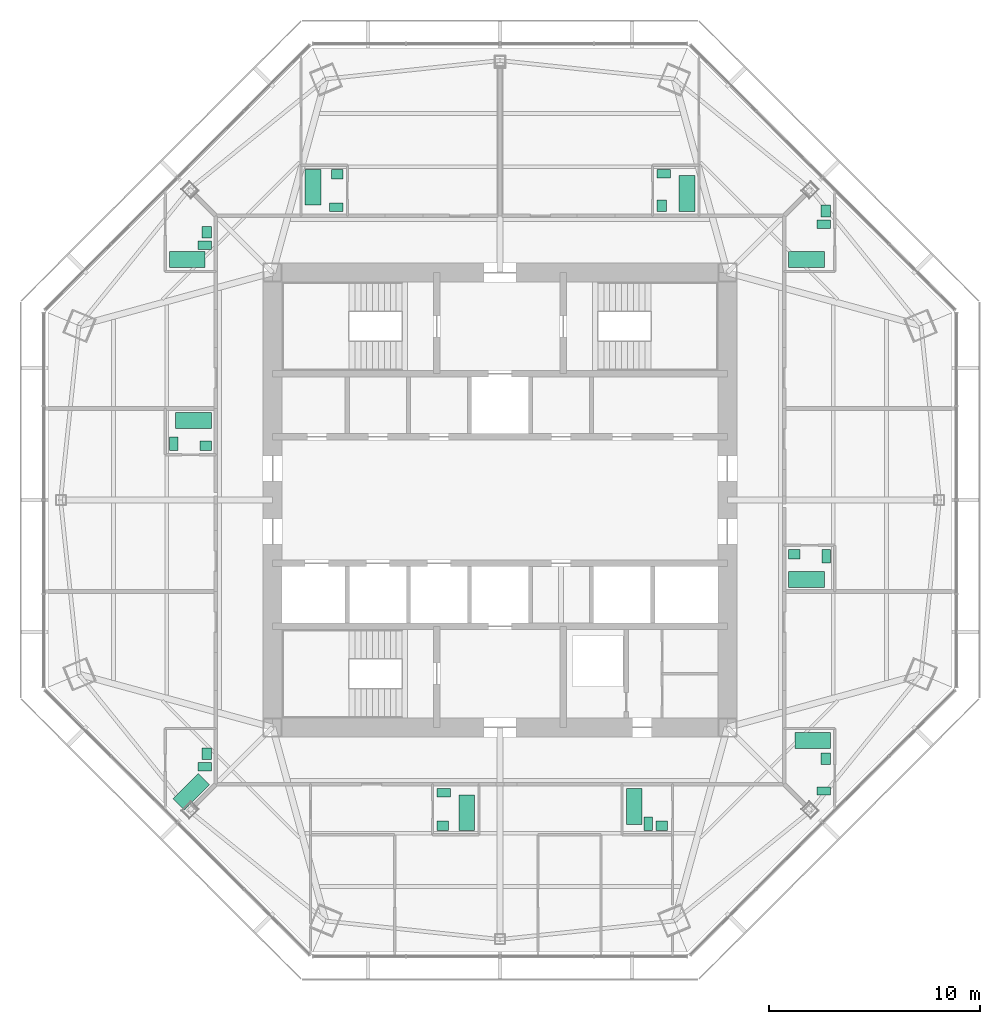
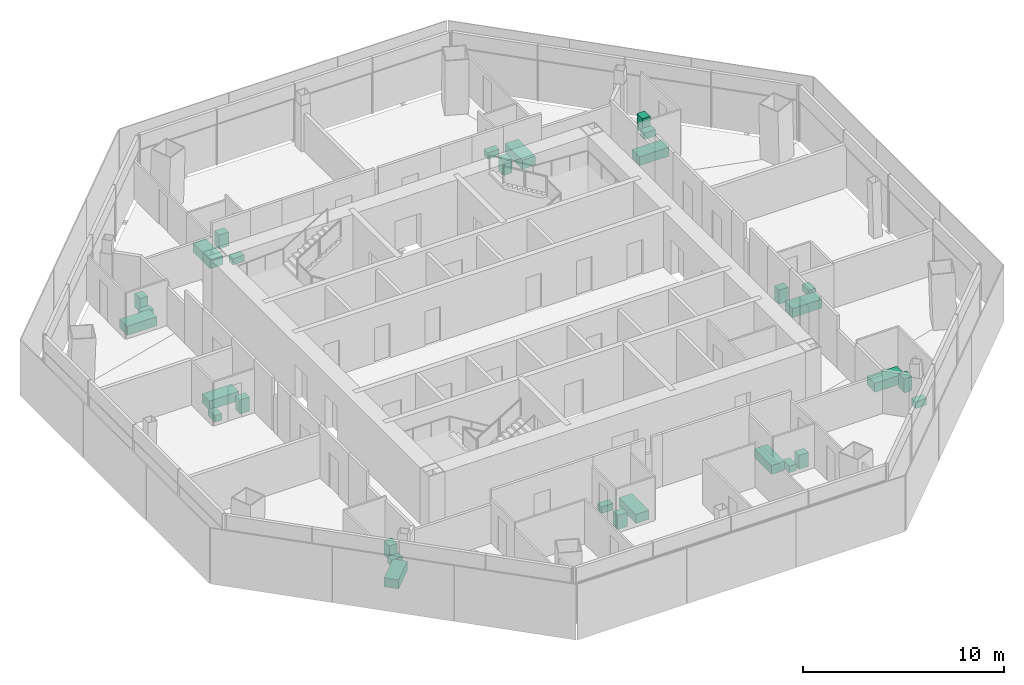
# One storey, part 15 of 15: 30 sanitary terminals.
"""IFC4 building model written with IfcOpenShell, lengths in metres."""

from ifc_helpers import new_model, si_unit, direction, frame, origin, origin_2d, place, context, subcontext, project, spatial, rectangle, extrude, material, type_object, element, save


model = new_model("IFC4")

# Units and contexts
model_context = context("Model", 3, precision=1e-05, world=origin(), true_north=direction((0.0, 1.0)))
body_context = subcontext(model_context, "Body", "Model", "MODEL_VIEW")
ifc_project = project(units=[si_unit("LENGTHUNIT", "METRE"), si_unit("AREAUNIT", "SQUARE_METRE"), si_unit("VOLUMEUNIT", "CUBIC_METRE"), si_unit("PLANEANGLEUNIT", "RADIAN"), si_unit("MASSUNIT", "GRAM", prefix="KILO")], contexts=[model_context])

# Site, building, storey
site_placement = place(None, origin())
site = spatial("IfcSite", under=ifc_project, at=site_placement, CompositionType="ELEMENT")
building_placement = place(site_placement, origin())
building = spatial("IfcBuilding", under=site, at=building_placement, Name="Mashrafa Tower", CompositionType="ELEMENT")
storey_placement = place(building_placement, frame((0.0, 0.0, 224.39990234375)))
storey = spatial("IfcBuildingStorey", under=building, at=storey_placement, Name="L52", CompositionType="ELEMENT", Elevation=224.39990234375)

# Sanitary terminals
ifc_material_1 = material(Name="Enamelled steel", Category="steel")
sanitary_terminal_type_1 = type_object("IfcSanitaryTerminalType", Name="Bath 1700 x 750", PredefinedType="BATH", material=ifc_material_1)
for number, where, z_axis, x_axis, name in (
    (1, (14.85009765625, -11.425048828125, 0.0), (0.0, 0.0, 1.0), (-1.0, 0.0, 0.0), "Bath Apartment 5201 Bathroom"),
    (2, (14.550048828125, -3.77490234375, 0.0), (0.0, 0.0, 1.0), (1.0, 0.0, 0.0), "Bath Apartment 5202 Bathroom"),
    (3, (14.550048828125, 11.425048828125, 0.0), (0.0, 0.0, 1.0), (1.0, 0.0, 0.0), "Bath Apartment 5203 Bathroom"),
    (4, (8.875, 14.550048828125, 0.0), (0.0, 0.0, 1.0), (0.0, 1.0, 0.0), "Bath Apartment 5204 Bathroom"),
    (5, (-8.875, 14.85009765625, 0.0), (0.0, 0.0, 1.0), (0.0, -1.0, 0.0), "Bath Apartment 5205 Bathroom"),
    (6, (-14.85009765625, 11.425048828125, 0.0), (0.0, 0.0, 1.0), (1.0, 0.0, 0.0), "Bath Apartment 5206 Bathroom"),
    (7, (-14.550048828125, 3.77490234375, 0.0), (0.0, 0.0, 1.0), (-1.0, 0.0, 0.0), "Bath Apartment 5207 Bathroom"),
    (8, (-14.66650390625, -13.853515625, 0.0), (0.0, 0.0, 1.0), (0.707106781187, 0.707106781187, 0.0), "Bath Apartment 5208 Bathroom"),
    (9, (-1.574951171875, -14.85009765625, 0.0), (0.0, 0.0, 1.0), (0.0, 1.0, 0.0), "Bath Apartment 5209 Bathroom"),
    (10, (6.375, -14.550048828125, 0.0), (0.0, 0.0, 1.0), (0.0, -1.0, 0.0), "Bath Apartment 5209 En-suite Bathroom"),
):
    element("IfcSanitaryTerminal", number, at=place(storey_placement, frame(where, z_axis=z_axis, x_axis=x_axis)), inside=storey, type_object=sanitary_terminal_type_1, Name=name, PredefinedType="BATH", context=body_context, shape_type="SweptSolid", body=[
        extrude(rectangle(XDim=1.699951171875, YDim=0.75, at=origin_2d()), origin(), (0.0, 0.0, 1.0), 0.550048828125),
    ])
ifc_material_2 = material(Name="Vitreous china")
sanitary_terminal_type_2 = type_object("IfcSanitaryTerminalType", Name="Toilet pan 400 x 650", PredefinedType="TOILETPAN", material=ifc_material_2)
for number, where, z_axis, x_axis, name in (
    (11, (15.375, -13.822265625, 0.000244140625), (0.0, 0.0, 1.0), (0.0, 1.0, 0.0), "Toilet pan Apartment 5201 Bathroom"),
    (12, (15.5, -2.675048828125, 0.000244140625), (0.0, 0.0, 1.0), (-1.0, 0.0, 0.0), "Toilet pan Apartment 5202 Bathroom"),
    (13, (15.375, 13.10009765625, 0.000244140625), (0.0, 0.0, 1.0), (0.0, 1.0, 0.0), "Toilet pan Apartment 5203 Bathroom"),
    (14, (7.77490234375, 15.5, 0.000244140625), (0.0, 0.0, 1.0), (0.0, -1.0, 0.0), "Toilet pan Apartment 5204 Bathroom"),
    (15, (-7.77490234375, 13.89990234375, 0.000244140625), (0.0, 0.0, 1.0), (0.0, 1.0, 0.0), "Toilet pan Apartment 5205 Bathroom"),
    (16, (-14.02490234375, 12.10009765625, 0.000244140625), (0.0, 0.0, 1.0), (0.0, 1.0, 0.0), "Toilet pan Apartment 5206 Bathroom"),
    (17, (-15.5, 2.675048828125, 0.000244140625), (0.0, 0.0, 1.0), (1.0, 0.0, 0.0), "Toilet pan Apartment 5207 Bathroom"),
    (18, (-14.02490234375, -12.667236328125, 0.000244140625), (0.0, 0.0, 1.0), (0.0, 1.0, 0.0), "Toilet pan Apartment 5208 Bathroom"),
    (19, (-2.675048828125, -13.89990234375, 0.000244140625), (0.0, 0.0, 1.0), (0.0, -1.0, 0.0), "Toilet pan Apartment 5209 Bathroom"),
    (20, (7.050048828125, -15.375, 0.000244140625), (0.0, 0.0, 1.0), (1.0, 0.0, 0.0), "Toilet pan Apartment 5209 En-suite Bathroom"),
):
    element("IfcSanitaryTerminal", number, at=place(storey_placement, frame(where, z_axis=z_axis, x_axis=x_axis)), inside=storey, type_object=sanitary_terminal_type_2, Name=name, PredefinedType="TOILETPAN", context=body_context, shape_type="SweptSolid", body=[
        extrude(rectangle(XDim=0.39990234375, YDim=0.64990234375, at=origin_2d()), origin(), (0.0, 0.0, 1.0), 0.39990234375),
    ])
ifc_material_3 = material(Name="Vitreous china")
sanitary_terminal_type_3 = type_object("IfcSanitaryTerminalType", Name="Wash basin 550 x 450", PredefinedType="WASHHANDBASIN", material=ifc_material_3)
for number, where, z_axis, x_axis, name in (
    (21, (15.47509765625, -12.297119140625, 0.0), (0.0, 0.0, 1.0), (0.0, 1.0, 0.0), "Wash basin Apartment 5201 Bathroom"),
    (22, (13.97509765625, -2.574951171875, 0.0), (0.0, 0.0, 1.0), (-1.0, 0.0, 0.0), "Wash basin Apartment 5202 Bathroom"),
    (23, (15.47509765625, 13.72509765625, 0.0), (0.0, 0.0, 1.0), (0.0, 1.0, 0.0), "Wash basin Apartment 5203 Bathroom"),
    (24, (7.675048828125, 13.97509765625, 0.0), (0.0, 0.0, 1.0), (0.0, -1.0, 0.0), "Wash basin Apartment 5204 Bathroom"),
    (25, (-7.72509765625, 15.47509765625, 0.0), (0.0, 0.0, 1.0), (-1.0, 0.0, 0.0), "Wash basin Apartment 5205 Bathroom"),
    (26, (-13.925048828125, 12.72509765625, 0.0), (0.0, 0.0, 1.0), (0.0, 1.0, 0.0), "Wash basin Apartment 5206 Bathroom"),
    (27, (-13.97509765625, 2.574951171875, 0.0), (0.0, 0.0, 1.0), (1.0, 0.0, 0.0), "Wash basin Apartment 5207 Bathroom"),
    (28, (-13.925048828125, -12.042236328125, 0.0), (0.0, 0.0, 1.0), (0.0, 1.0, 0.0), "Wash basin Apartment 5208 Bathroom"),
    (29, (-2.72509765625, -15.47509765625, 0.0), (0.0, 0.0, 1.0), (1.0, 0.0, 0.0), "Wash basin Apartment 5209 Bathroom"),
    (30, (7.675048828125, -15.47509765625, 0.0), (0.0, 0.0, 1.0), (1.0, 0.0, 0.0), "Wash basin Apartment 5209 En-suite Bathroom"),
):
    element("IfcSanitaryTerminal", number, at=place(storey_placement, frame(where, z_axis=z_axis, x_axis=x_axis)), inside=storey, type_object=sanitary_terminal_type_3, Name=name, PredefinedType="WASHHANDBASIN", context=body_context, shape_type="SweptSolid", body=[
        extrude(rectangle(XDim=0.550048828125, YDim=0.449951171875, at=origin_2d()), origin(), (0.0, 0.0, 1.0), 0.85009765625),
    ])

save(model, "model.ifc")
